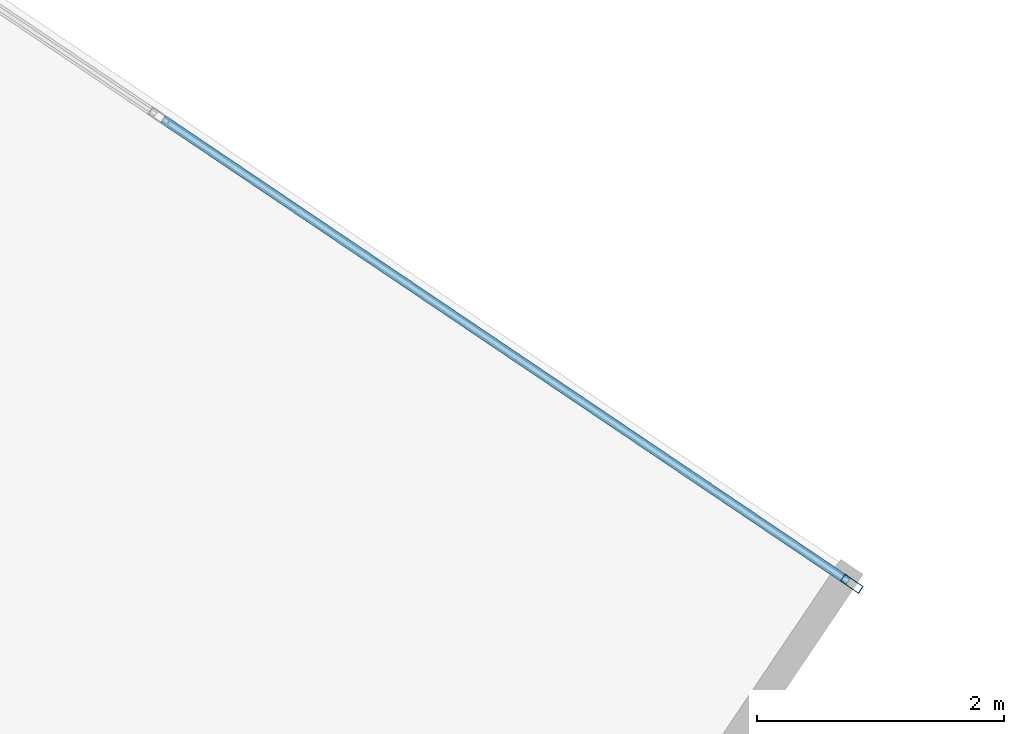
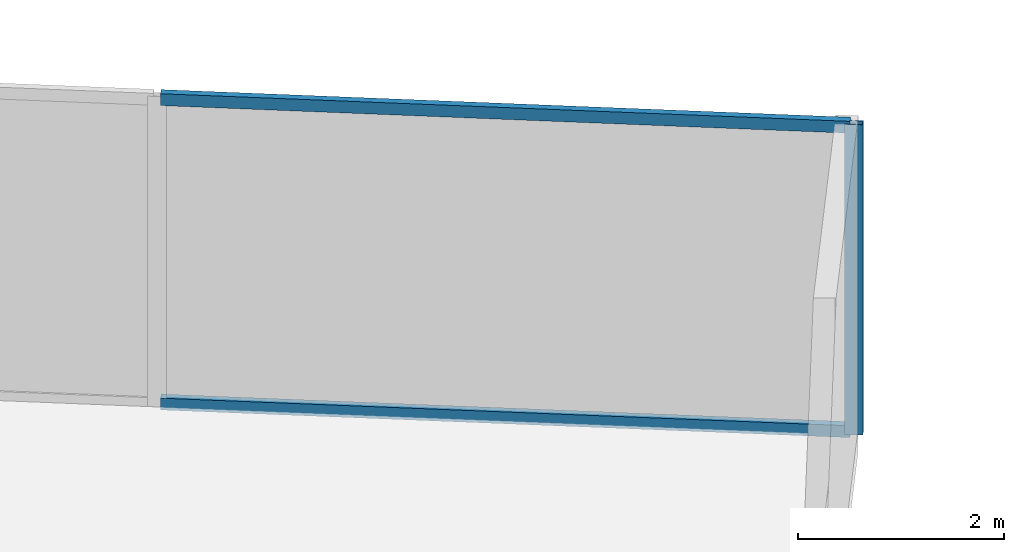
# One storey, part 20 of 27: 3 members, 1 element without a shape of its own.
"""IFC4 building model written with IfcOpenShell, lengths in metres."""

from ifc_helpers import new_model, si_unit, direction, frame, origin, origin_2d, place, context, subcontext, project, spatial, hollow_rectangle, extrude, source, transform, mapped, material, material_profile, profile_set, type_object, type_shapes, element, aggregate, save


model = new_model("IFC4")

# Units and contexts
model_context = context("Model", 3, precision=1e-05, world=origin(), true_north=direction((0.0, 1.0)))
body_context = subcontext(model_context, "Body", "Model", "MODEL_VIEW")
ifc_project = project(units=[si_unit("LENGTHUNIT", "METRE"), si_unit("AREAUNIT", "SQUARE_METRE"), si_unit("VOLUMEUNIT", "CUBIC_METRE"), si_unit("PLANEANGLEUNIT", "RADIAN"), si_unit("MASSUNIT", "GRAM", prefix="KILO")], contexts=[model_context])

# Site, building, storey
site_placement = place(None, origin())
site = spatial("IfcSite", under=ifc_project, at=site_placement, CompositionType="ELEMENT")
building_placement = place(site_placement, origin())
building = spatial("IfcBuilding", under=site, at=building_placement, Name="Krantzveldt Concourse Tower", CompositionType="ELEMENT")
storey_placement = place(building_placement, frame((0.0, 0.0, 185.699951171875)))
storey = spatial("IfcBuildingStorey", under=building, at=storey_placement, Name="L45", CompositionType="ELEMENT", Elevation=185.699951171875)

# Curtain wall, members
ifc_material = material(Name="Anodised aluminium 6063-T6", Category="aluminium")
curtain_wall_type = type_object("IfcCurtainWallType", Name="CW3", PredefinedType="USERDEFINED", material=ifc_material)
curtain_wall_placement = place(storey_placement, origin())
curtain_wall = element("IfcCurtainWall", 1, at=curtain_wall_placement, inside=storey, type_object=curtain_wall_type, Name="CW-L45-F10", ObjectType="UNITISED CURTAIN WALL", PredefinedType="USERDEFINED")
ifc_material_profile_1 = material_profile(ifc_material, hollow_rectangle(XDim=0.070068359375, YDim=0.179931640625, WallThickness=0.0048828125, at=origin_2d()), Name="Anodised aluminium 6063-T6", Category="aluminium")
ifc_profile_set_1 = profile_set([ifc_material_profile_1], Name="Anodised aluminium 6063-T6 - ALU-MULL 180x70x5")
member_type_1 = type_object("IfcMemberType", Name="CW-MUL-180", PredefinedType="MULLION", material=ifc_profile_set_1)
shared_shape_1 = source(origin(), body_context, "Body", "SweptSolid", [
    extrude(hollow_rectangle(XDim=0.070068359375, YDim=0.179931640625, WallThickness=0.0048828125, at=origin_2d()), origin(), (0.0, 0.0, 1.0), 3.670166015625),
])
type_shapes(member_type_1, [shared_shape_1])
member_1_placement = place(storey_placement, frame((62.59228515625, 35.071044921875, 0.0), z_axis=(0.0, 0.0, 1.0), x_axis=(-0.559192760874, -0.829037668737, 0.0)))
member_1 = element("IfcMember", 2, at=member_1_placement, type_object=member_type_1, Name="CW-Z34 mullion 1", PredefinedType="MULLION", context=body_context, shape_type="MappedRepresentation", body=[
    mapped(shared_shape_1, transform((0.0, 0.0, 0.0), x_axis=(1.0, 0.0, 0.0), y_axis=(0.0, 1.0, 0.0), z_axis=(0.0, 0.0, 1.0), scale=1.0)),
])
ifc_material_profile_2 = material_profile(ifc_material, hollow_rectangle(XDim=0.070068359375, YDim=0.139892578125, WallThickness=0.0048828125, at=origin_2d()), Name="Anodised aluminium 6063-T6", Category="aluminium")
ifc_profile_set_2 = profile_set([ifc_material_profile_2], Name="Anodised aluminium 6063-T6 - ALU-TRAN 140x70x5")
member_type_2 = type_object("IfcMemberType", Name="CW-TRN-150", PredefinedType="USERDEFINED", material=ifc_profile_set_2)
shared_shape_2 = source(origin(), body_context, "Body", "SweptSolid", [
    extrude(hollow_rectangle(XDim=0.070068359375, YDim=0.139892578125, WallThickness=0.0048828125, at=origin_2d()), origin(), (0.0, 0.0, 1.0), 6.695068359375),
])
type_shapes(member_type_2, [shared_shape_2])
member_2_placement = place(storey_placement, frame((62.563232421875, 35.090576171875, 0.03515625), z_axis=(-0.829053651382, 0.559169064891, 0.0), x_axis=(-0.559169064891, -0.829053651382, 0.0)))
member_2 = element("IfcMember", 3, at=member_2_placement, type_object=member_type_2, Name="CW-Z34 transom 1.1", ObjectType="TRANSOM", PredefinedType="USERDEFINED", context=body_context, shape_type="MappedRepresentation", body=[
    mapped(shared_shape_2, transform((0.0, 0.0, 0.0), x_axis=(1.0, 0.0, 0.0), y_axis=(0.0, 1.0, 0.0), z_axis=(0.0, 0.0, 1.0), scale=1.0)),
])
member_3_placement = place(storey_placement, frame((62.563232421875, 35.090576171875, 3.635009765625), z_axis=(-0.829053651382, 0.559169064891, 0.0), x_axis=(-0.559169064891, -0.829053651382, 0.0)))
member_3 = element("IfcMember", 4, at=member_3_placement, type_object=member_type_2, Name="CW-Z34 transom 1.2", ObjectType="TRANSOM", PredefinedType="USERDEFINED", context=body_context, shape_type="MappedRepresentation", body=[
    mapped(shared_shape_2, transform((0.0, 0.0, 0.0), x_axis=(1.0, 0.0, 0.0), y_axis=(0.0, 1.0, 0.0), z_axis=(0.0, 0.0, 1.0), scale=1.0)),
])
aggregate(curtain_wall, [member_1, member_2, member_3])

save(model, "model.ifc")
